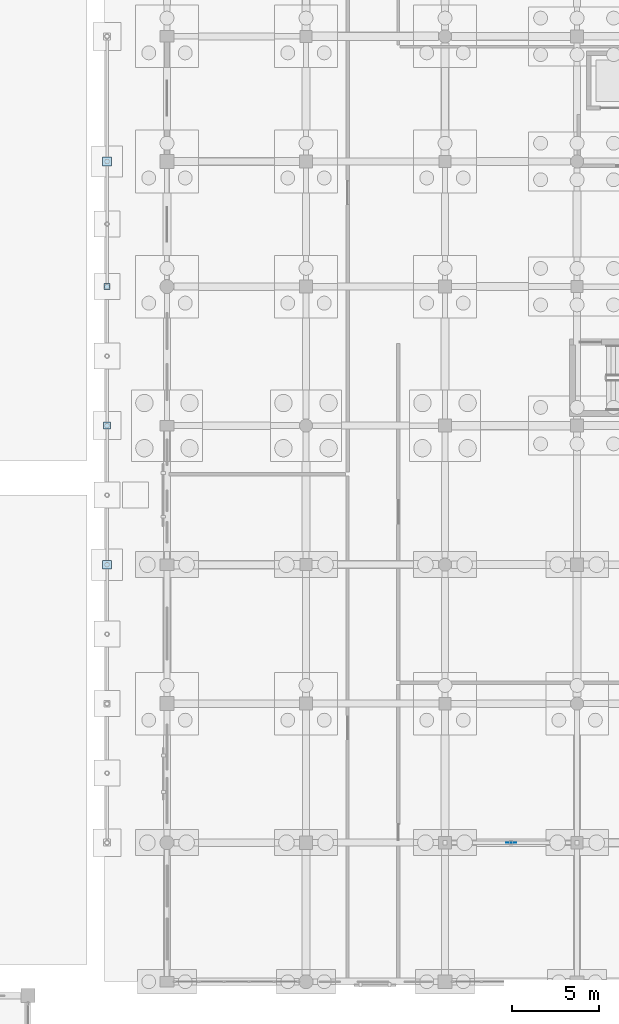
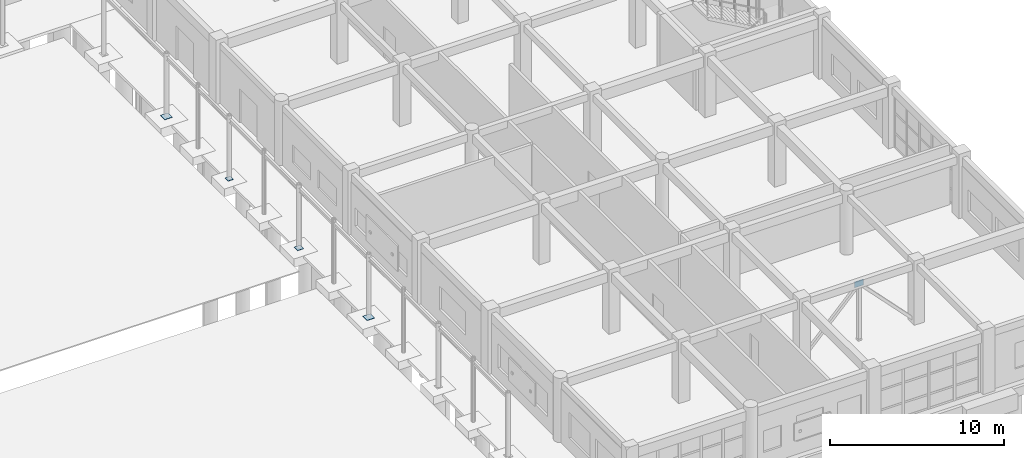
# One storey, part 125 of 166: 5 plates.
"""IFC4 building model written with IfcOpenShell, lengths in metres."""

from ifc_helpers import new_model, si_unit, direction, frame, origin, origin_2d, place, context, subcontext, project, spatial, rectangle, extrude, material, type_object, element, save


model = new_model("IFC4")

# Units and contexts
model_context = context("Model", 3, precision=1e-05, world=origin(), true_north=direction((0.0, 1.0)))
body_context = subcontext(model_context, "Body", "Model", "MODEL_VIEW")
ifc_project = project(units=[si_unit("LENGTHUNIT", "METRE"), si_unit("AREAUNIT", "SQUARE_METRE"), si_unit("VOLUMEUNIT", "CUBIC_METRE"), si_unit("PLANEANGLEUNIT", "RADIAN"), si_unit("MASSUNIT", "GRAM", prefix="KILO")], contexts=[model_context])

# Site, building, storey
site_placement = place(None, origin())
site = spatial("IfcSite", under=ifc_project, at=site_placement, CompositionType="ELEMENT")
building_placement = place(site_placement, origin())
building = spatial("IfcBuilding", under=site, at=building_placement, Name="Kharva Crest Polytechnic", CompositionType="ELEMENT")
storey_placement = place(building_placement, origin())
storey = spatial("IfcBuildingStorey", under=building, at=storey_placement, Name="L00", CompositionType="ELEMENT", Elevation=0.0)

# Plates
ifc_material = material(Name="Steel S355", Category="steel")
plate_type_1 = type_object("IfcPlateType", Name="PLT-BASE-360X360X20", PredefinedType="USERDEFINED", material=ifc_material)
plate_1_placement = place(storey_placement, frame((149.35009765625, 78.800048828125, 0.0009765625), z_axis=(0.0, 0.0, 1.0), x_axis=(1.0, 0.0, 0.0)))
element("IfcPlate", 1, at=plate_1_placement, inside=storey, type_object=plate_type_1, Name="L00 Colonnade Base Plate VE05", ObjectType="BASE PLATE", PredefinedType="USERDEFINED", context=body_context, shape_type="SweptSolid", body=[
    extrude(rectangle(XDim=0.360107421875, YDim=0.360107421875, at=origin_2d()), origin(), (0.0, 0.0, 1.0), 0.02001953125),
])
plate_type_2 = type_object("IfcPlateType", Name="PLT-BASE-400X400X22", PredefinedType="USERDEFINED", material=ifc_material)
plate_2_placement = place(storey_placement, frame((149.35009765625, 70.800048828125, 0.0), z_axis=(0.0, 0.0, 1.0), x_axis=(1.0, 0.0, 0.0)))
element("IfcPlate", 2, at=plate_2_placement, inside=storey, type_object=plate_type_2, Name="L00 Colonnade Base Plate VE04", ObjectType="BASE PLATE", PredefinedType="USERDEFINED", context=body_context, shape_type="SweptSolid", body=[
    extrude(rectangle(XDim=0.39990234375, YDim=0.39990234375, at=origin_2d()), origin(), (0.0, 0.0, 1.0), 0.02197265625),
])
plate_type_3 = type_object("IfcPlateType", Name="PLT-BASE-500X500X25", PredefinedType="USERDEFINED", material=ifc_material)
for number, where, z_axis, x_axis, name in (
    (3, (149.35009765625, 62.800048828125, -0.00146484375), (0.0, 0.0, 1.0), (1.0, 0.0, 0.0), "L00 Colonnade Base Plate VE03"),
    (4, (149.35009765625, 86.0, -0.00146484375), (0.0, 0.0, 1.0), (1.0, 0.0, 0.0), "L00 Colonnade Base Plate VE06"),
):
    element("IfcPlate", number, at=place(storey_placement, frame(where, z_axis=z_axis, x_axis=x_axis)), inside=storey, type_object=plate_type_3, Name=name, ObjectType="BASE PLATE", PredefinedType="USERDEFINED", context=body_context, shape_type="SweptSolid", body=[
        extrude(rectangle(XDim=0.5, YDim=0.5, at=origin_2d()), origin(), (0.0, 0.0, 1.0), 0.02490234375),
    ])
plate_type_4 = type_object("IfcPlateType", Name="PLT-GUS-580X420X18", PredefinedType="USERDEFINED", material=ifc_material)
plate_3_placement = place(storey_placement, frame((172.60009765625, 46.800048828125, 3.739990234375), z_axis=(0.0, 0.0, 1.0), x_axis=(1.0, 0.0, 0.0)))
element("IfcPlate", 5, at=plate_3_placement, inside=storey, type_object=plate_type_4, Name="L00 Braced Frame Gusset Plate 7", ObjectType="GUSSET PLATE", PredefinedType="USERDEFINED", context=body_context, shape_type="SweptSolid", body=[
    extrude(rectangle(XDim=0.580078125, YDim=0.01806640625, at=origin_2d()), origin(), (0.0, 0.0, 1.0), 0.419921875),
])

save(model, "model.ifc")
